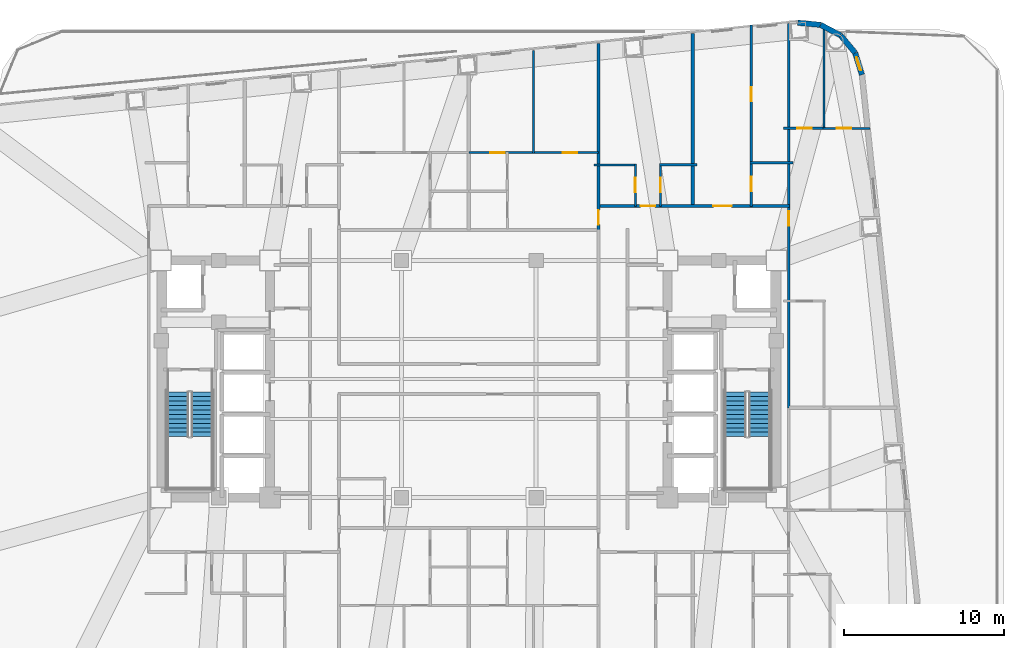
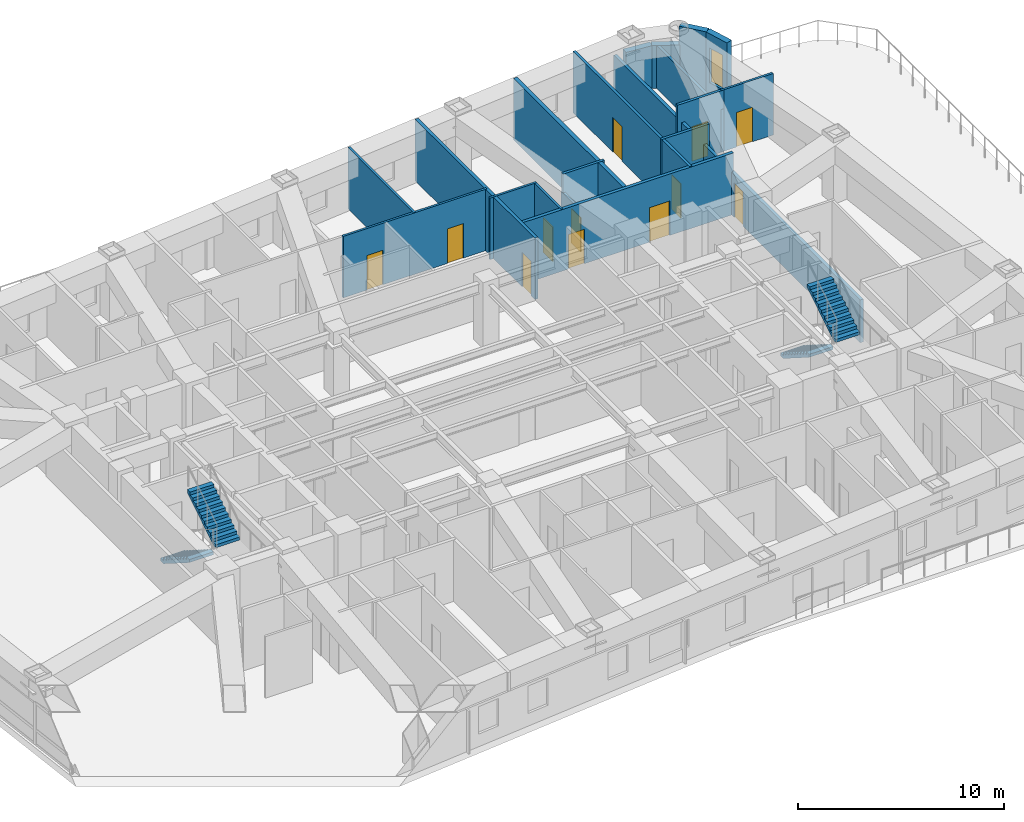
# One storey, part 12 of 15: 20 walls, 12 doors, 4 stair flights, 1 window, 13 openings, 2 elements without a shape of their own.
"""IFC4 building model written with IfcOpenShell, lengths in metres."""

from ifc_helpers import new_model, si_unit, direction, frame, frame_2d, origin, place, context, subcontext, project, spatial, polyline, rectangle, outline, extrude, material, layer, layer_set, type_object, element, fill, aggregate, save


model = new_model("IFC4")

# Units and contexts
model_context = context("Model", 3, precision=1e-05, world=origin(), true_north=direction((0.0, 1.0)))
body_context = subcontext(model_context, "Body", "Model", "MODEL_VIEW")
ifc_project = project(units=[si_unit("LENGTHUNIT", "METRE"), si_unit("AREAUNIT", "SQUARE_METRE"), si_unit("VOLUMEUNIT", "CUBIC_METRE"), si_unit("PLANEANGLEUNIT", "RADIAN"), si_unit("MASSUNIT", "GRAM", prefix="KILO")], contexts=[model_context])

# Site, building, storey
site_placement = place(None, origin())
site = spatial("IfcSite", under=ifc_project, at=site_placement, CompositionType="ELEMENT")
building_placement = place(site_placement, origin())
building = spatial("IfcBuilding", under=site, at=building_placement, Name="Voryun Gate Residences", CompositionType="ELEMENT")
storey_placement = place(building_placement, frame((0.0, 0.0, 140.39990234375)))
storey = spatial("IfcBuildingStorey", under=building, at=storey_placement, Name="L34", CompositionType="ELEMENT", Elevation=140.39990234375)

# Wall, openings, doors
ifc_material_1 = material(Name="Gypsum acoustic fireboard")
ifc_layer_1 = layer(ifc_material_1, 0.179931640625, Name="W_CORR_RATED_180")
ifc_layer_set_1 = layer_set([ifc_layer_1], Name="Gypsum acoustic fireboard")
wall_type_1 = type_object("IfcWallType", Name="W_CORR_RATED_180", PredefinedType="PARTITIONING", material=ifc_layer_set_1)
wall_1_placement = place(storey_placement, frame((8.080078125, 10.800048828125, 0.0), z_axis=(0.0, 0.0, 1.0), x_axis=(1.0, 0.0, 0.0)))
wall_1 = element("IfcWall", 1, at=wall_1_placement, inside=storey, type_object=wall_type_1, Name="Partition wall WP-L34-NCORR-E", PredefinedType="PARTITIONING", context=body_context, shape_type="SweptSolid", body=[
    extrude(rectangle(XDim=11.919921875, YDim=0.179931640625, at=frame_2d((5.9599609375, 0.0))), origin(), (0.0, 0.0, 1.0), 3.650146484375),
])
opening_1_placement = place(wall_1_placement, frame((2.6455078125, 0.0, 0.0)))
opening_1 = element("IfcOpeningElement", 2, at=opening_1_placement, cuts=wall_1, Name="Opening D-INT-2", PredefinedType="OPENING", context=body_context, shape_type="SweptSolid", body=[
    extrude(rectangle(XDim=0.89990234375, YDim=2.050048828125, at=frame_2d((0.449951171875, 1.02490234375))), frame((0.0, 0.099853515625, 0.0), z_axis=(0.0, -1.0, 0.0), x_axis=(1.0, 0.0, 0.0)), (0.0, 0.0, 1.0), 0.199951171875),
])
opening_2_placement = place(wall_1_placement, frame((7.178955078125, 0.0, 0.0)))
opening_2 = element("IfcOpeningElement", 3, at=opening_2_placement, cuts=wall_1, Name="Opening D-UNIT-1", PredefinedType="OPENING", context=body_context, shape_type="SweptSolid", body=[
    extrude(rectangle(XDim=1.14990234375, YDim=2.050048828125, at=frame_2d((0.574951171875, 1.02490234375))), frame((0.0, 0.099853515625, 0.0), z_axis=(0.0, -1.0, 0.0), x_axis=(1.0, 0.0, 0.0)), (0.0, 0.0, 1.0), 0.199951171875),
])
ifc_material_2 = material(Name="Architectural oak veneer")
door_type_1 = type_object("IfcDoorType", Name="DR_INT_BATH_900", OperationType="NOTDEFINED", PredefinedType="DOOR", material=ifc_material_2)
door_1_placement = place(opening_1_placement, origin())
door_1 = element("IfcDoor", 4, at=door_1_placement, inside=storey, type_object=door_type_1, Name="Door DR-L34-NENT-4", OperationType="SINGLE_SWING_RIGHT", OverallHeight=2.050048828125, OverallWidth=0.89990234375, PredefinedType="DOOR", context=body_context, shape_type="SweptSolid", body=[
    extrude(rectangle(XDim=0.89990234375, YDim=2.050048828125, at=frame_2d((0.449951171875, 1.02490234375))), frame((0.0, 0.02490234375, 0.0), z_axis=(0.0, -1.0, 0.0), x_axis=(1.0, 0.0, 0.0)), (0.0, 0.0, 1.0), 0.050048828125),
])
fill(opening_1, door_1)
ifc_material_3 = material(Name="Armoured timber-clad fire door", Category="wood")
door_type_2 = type_object("IfcDoorType", Name="DR_UNIT_ENTRY_1150", OperationType="NOTDEFINED", PredefinedType="DOOR", material=ifc_material_3)
door_2_placement = place(opening_2_placement, origin())
door_2 = element("IfcDoor", 5, at=door_2_placement, inside=storey, type_object=door_type_2, Name="Door DR-L34-NENT-5", OperationType="SINGLE_SWING_LEFT", OverallHeight=2.050048828125, OverallWidth=1.14990234375, PredefinedType="DOOR", context=body_context, shape_type="SweptSolid", body=[
    extrude(rectangle(XDim=1.14990234375, YDim=2.050048828125, at=frame_2d((0.574951171875, 1.02490234375))), frame((0.0, 0.02490234375, 0.0), z_axis=(0.0, -1.0, 0.0), x_axis=(1.0, 0.0, 0.0)), (0.0, 0.0, 1.0), 0.050048828125),
])
fill(opening_2, door_2)

# Wall, opening, door
wall_2_placement = place(storey_placement, frame((8.10009765625, 9.2900390625, 0.0), z_axis=(0.0, 0.0, 1.0), x_axis=(0.0, 1.0, 0.0)))
wall_2 = element("IfcWall", 6, at=wall_2_placement, inside=storey, type_object=wall_type_1, Name="Partition wall WP-L34-NZV-2", PredefinedType="PARTITIONING", context=body_context, shape_type="SweptSolid", body=[
    extrude(rectangle(XDim=11.63916015625, YDim=0.179931640625, at=frame_2d((5.819580078125, 0.0))), origin(), (0.0, 0.0, 1.0), 3.650146484375),
])
opening_3_placement = place(wall_2_placement, frame((0.349609375, 0.0, 0.0)))
opening_3 = element("IfcOpeningElement", 7, at=opening_3_placement, cuts=wall_2, Name="Opening D-INT-2", PredefinedType="OPENING", context=body_context, shape_type="SweptSolid", body=[
    extrude(rectangle(XDim=0.89990234375, YDim=2.050048828125, at=frame_2d((0.449951171875, 1.02490234375))), frame((0.0, 0.099853515625, 0.0), z_axis=(0.0, -1.0, 0.0), x_axis=(1.0, 0.0, 0.0)), (0.0, 0.0, 1.0), 0.199951171875),
])
door_3_placement = place(opening_3_placement, origin())
door_3 = element("IfcDoor", 8, at=door_3_placement, inside=storey, type_object=door_type_1, Name="Door DR-L34-NZENT-2", OperationType="SINGLE_SWING_RIGHT", OverallHeight=2.050048828125, OverallWidth=0.89990234375, PredefinedType="DOOR", context=body_context, shape_type="SweptSolid", body=[
    extrude(rectangle(XDim=0.89990234375, YDim=2.050048828125, at=frame_2d((0.449951171875, 1.02490234375))), frame((0.0, 0.02490234375, 0.0), z_axis=(0.0, -1.0, 0.0), x_axis=(1.0, 0.0, 0.0)), (0.0, 0.0, 1.0), 0.050048828125),
])
fill(opening_3, door_3)

wall_3_placement = place(storey_placement, frame((19.969970703125, -1.800048828125, 0.0), z_axis=(0.0, 0.0, 1.0), x_axis=(0.0, 1.0, 0.0)))
wall_3 = element("IfcWall", 9, at=wall_3_placement, inside=storey, type_object=wall_type_1, Name="Partition wall WP-L34-ECOR2", PredefinedType="PARTITIONING", context=body_context, shape_type="SweptSolid", body=[
    extrude(rectangle(XDim=23.976806640625, YDim=0.179931640625, at=frame_2d((11.98828125, 0.0))), origin(), (0.0, 0.0, 1.0), 2.5400390625),
])
opening_4_placement = place(wall_3_placement, frame((11.380126953125, 0.0, 0.0)))
opening_4 = element("IfcOpeningElement", 10, at=opening_4_placement, cuts=wall_3, Name="Opening D-INT-2", PredefinedType="OPENING", context=body_context, shape_type="SweptSolid", body=[
    extrude(rectangle(XDim=0.89990234375, YDim=2.050048828125, at=frame_2d((0.449951171875, 1.02490234375))), frame((0.0, 0.099853515625, 0.0), z_axis=(0.0, -1.0, 0.0), x_axis=(1.0, 0.0, 0.0)), (0.0, 0.0, 1.0), 0.199951171875),
])
door_4_placement = place(opening_4_placement, origin())
door_4 = element("IfcDoor", 11, at=door_4_placement, inside=storey, type_object=door_type_1, Name="Door DR-L34-EE2", OperationType="SINGLE_SWING_RIGHT", OverallHeight=2.050048828125, OverallWidth=0.89990234375, PredefinedType="DOOR", context=body_context, shape_type="SweptSolid", body=[
    extrude(rectangle(XDim=0.89990234375, YDim=2.050048828125, at=frame_2d((0.449951171875, 1.02490234375))), frame((0.0, 0.02490234375, 0.0), z_axis=(0.0, -1.0, 0.0), x_axis=(1.0, 0.0, 0.0)), (0.0, 0.0, 1.0), 0.050048828125),
])
fill(opening_4, door_4)

# Walls
ifc_material_4 = material(Name="Charcoal terracotta masonry", Category="masonry")
ifc_layer_2 = layer(ifc_material_4, 0.340087890625, Name="W_EXT_TERRACOTTA_340")
ifc_layer_set_2 = layer_set([ifc_layer_2], Name="Charcoal terracotta masonry")
wall_type_2 = type_object("IfcWallType", Name="W_EXT_TERRACOTTA_340", PredefinedType="ELEMENTEDWALL", material=ifc_layer_set_2)
wall_4_placement = place(storey_placement, frame((20.5263671875, 22.235107421875, 0.0), z_axis=(0.0, 0.0, 1.0), x_axis=(0.995800460351, -0.091550222087, 0.0)))
element("IfcWall", 12, at=wall_4_placement, inside=storey, type_object=wall_type_2, Name="Exterior wall WEXT-L34-12", PredefinedType="ELEMENTEDWALL", context=body_context, shape_type="SweptSolid", body=[
    extrude(rectangle(XDim=1.43212890625, YDim=0.340087890625, at=frame_2d((0.716064453125, 0.0))), origin(), (0.0, 0.0, 1.0), 2.5400390625),
])
wall_5_placement = place(storey_placement, frame((21.952392578125, 22.10400390625, 0.0), z_axis=(0.0, 0.0, 1.0), x_axis=(0.885023004245, -0.465547292933, 0.0)))
element("IfcWall", 13, at=wall_5_placement, inside=storey, type_object=wall_type_2, Name="Exterior wall WEXT-L34-13", PredefinedType="ELEMENTEDWALL", context=body_context, shape_type="SweptSolid", body=[
    extrude(rectangle(XDim=1.414794921875, YDim=0.340087890625, at=frame_2d((0.70751953125, 0.0))), origin(), (0.0, 0.0, 1.0), 2.5400390625),
])
wall_6_placement = place(storey_placement, frame((23.20458984375, 21.4453125, 0.0), z_axis=(0.0, 0.0, 1.0), x_axis=(0.639539337522, -0.768758372808, 0.0)))
element("IfcWall", 14, at=wall_6_placement, inside=storey, type_object=wall_type_2, Name="Exterior wall WEXT-L34-14", PredefinedType="ELEMENTEDWALL", context=body_context, shape_type="SweptSolid", body=[
    extrude(rectangle(XDim=1.4150390625, YDim=0.340087890625, at=frame_2d((0.70751953125, 0.0))), origin(), (0.0, 0.0, 1.0), 3.650146484375),
])

# Wall, opening, window
wall_7_placement = place(storey_placement, frame((24.109619140625, 20.357421875, 0.0), z_axis=(0.0, 0.0, 1.0), x_axis=(0.296420660287, -0.955057481074, 0.0)))
wall_7 = element("IfcWall", 15, at=wall_7_placement, inside=storey, type_object=wall_type_2, Name="Exterior wall WEXT-L34-15", PredefinedType="ELEMENTEDWALL", context=body_context, shape_type="SweptSolid", body=[
    extrude(rectangle(XDim=1.432373046875, YDim=0.340087890625, at=frame_2d((0.71630859375, 0.0))), origin(), (0.0, 0.0, 1.0), 3.650146484375),
])
opening_5_placement = place(wall_7_placement, frame((0.291015625, 0.0, 0.75)))
opening_5 = element("IfcOpeningElement", 16, at=opening_5_placement, cuts=wall_7, Name="Opening WN9", PredefinedType="OPENING", context=body_context, shape_type="SweptSolid", body=[
    extrude(rectangle(XDim=0.85009765625, YDim=2.050048828125, at=frame_2d((0.425048828125, 1.02490234375))), frame((0.0, 0.179931640625, 0.0), z_axis=(0.0, -1.0, 0.0), x_axis=(1.0, 0.0, 0.0)), (0.0, 0.0, 1.0), 0.360107421875),
])
ifc_material_5 = material(Name="Laminated low-E glass", Category="glass")
window_type = type_object("IfcWindowType", Name="WN_RES_CASEMENT_850", PartitioningType="SINGLE_PANEL", PredefinedType="WINDOW", material=ifc_material_5)
window_placement = place(opening_5_placement, origin())
window = element("IfcWindow", 17, at=window_placement, inside=storey, type_object=window_type, Name="Window WN-L34-DWFIX-19", OverallHeight=2.050048828125, OverallWidth=0.85009765625, PartitioningType="SINGLE_PANEL", PredefinedType="WINDOW", context=body_context, shape_type="SweptSolid", body=[
    extrude(rectangle(XDim=0.85009765625, YDim=2.050048828125, at=frame_2d((0.425048828125, 1.02490234375))), frame((0.0, 0.030029296875, 0.0), z_axis=(0.0, -1.0, 0.0), x_axis=(1.0, 0.0, 0.0)), (0.0, 0.0, 1.0), 0.06005859375),
])
fill(opening_5, window)

# Wall
ifc_material_6 = material(Name="Concrete C40/50", Category="concrete")
ifc_layer_3 = layer(ifc_material_6, 0.219970703125, Name="W_PARTY_ACOUSTIC_220")
ifc_layer_set_3 = layer_set([ifc_layer_3], Name="Concrete C40/50")
wall_type_3 = type_object("IfcWallType", Name="W_PARTY_ACOUSTIC_220", PredefinedType="PARTITIONING", material=ifc_layer_set_3)
wall_8_placement = place(storey_placement, frame((13.989990234375, 10.719970703125, 0.0), z_axis=(0.0, 0.0, 1.0), x_axis=(0.0, 1.0, 0.0)))
element("IfcWall", 18, at=wall_8_placement, inside=storey, type_object=wall_type_3, Name="Partition wall WP-L34-NPTY-4", PredefinedType="PARTITIONING", context=body_context, shape_type="SweptSolid", body=[
    extrude(rectangle(XDim=10.828125, YDim=0.219970703125, at=frame_2d((5.4140625, 0.0))), origin(), (0.0, 0.0, 1.0), 3.650146484375),
])

# Wall, opening, door
ifc_material_7 = material(Name="Gypsum acoustic partition")
ifc_layer_4 = layer(ifc_material_7, 0.125, Name="W_UNIT_PART_125")
ifc_layer_set_4 = layer_set([ifc_layer_4], Name="Gypsum acoustic partition")
wall_type_4 = type_object("IfcWallType", Name="W_UNIT_PART_125", PredefinedType="PARTITIONING", material=ifc_layer_set_4)
wall_9_placement = place(storey_placement, frame((10.389892578125, 10.780029296875, 0.0), z_axis=(0.0, 0.0, 1.0), x_axis=(0.0, 1.0, 0.0)))
wall_9 = element("IfcWall", 19, at=wall_9_placement, inside=storey, type_object=wall_type_4, Name="Partition wall WP-L34-N4-CVK", PredefinedType="PARTITIONING", context=body_context, shape_type="SweptSolid", body=[
    extrude(rectangle(XDim=2.64990234375, YDim=0.125, at=frame_2d((1.324951171875, 0.0))), origin(), (0.0, 0.0, 1.0), 3.650146484375),
])
opening_6_placement = place(wall_9_placement, frame((0.875, 0.0, 0.0)))
opening_6 = element("IfcOpeningElement", 20, at=opening_6_placement, cuts=wall_9, Name="Opening D-INT-2", PredefinedType="OPENING", context=body_context, shape_type="SweptSolid", body=[
    extrude(rectangle(XDim=0.89990234375, YDim=2.050048828125, at=frame_2d((0.449951171875, 1.02490234375))), frame((0.0, 0.072509765625, 0.0), z_axis=(0.0, -1.0, 0.0), x_axis=(1.0, 0.0, 0.0)), (0.0, 0.0, 1.0), 0.14501953125),
])
door_5_placement = place(opening_6_placement, origin())
door_5 = element("IfcDoor", 21, at=door_5_placement, inside=storey, type_object=door_type_1, Name="Door DR-L34-N4-DK", OperationType="SINGLE_SWING_LEFT", OverallHeight=2.050048828125, OverallWidth=0.89990234375, PredefinedType="DOOR", context=body_context, shape_type="SweptSolid", body=[
    extrude(rectangle(XDim=0.89990234375, YDim=2.050048828125, at=frame_2d((0.449951171875, 1.02490234375))), frame((0.0, 0.02490234375, 0.0), z_axis=(0.0, -1.0, 0.0), x_axis=(1.0, 0.0, 0.0)), (0.0, 0.0, 1.0), 0.050048828125),
])
fill(opening_6, door_5)

# Wall
wall_10_placement = place(storey_placement, frame((7.820068359375, 13.3701171875, 0.0), z_axis=(0.0, 0.0, 1.0), x_axis=(1.0, 0.0, 0.0)))
element("IfcWall", 22, at=wall_10_placement, inside=storey, type_object=wall_type_4, Name="Partition wall WP-L34-N4-CHK", PredefinedType="PARTITIONING", context=body_context, shape_type="SweptSolid", body=[
    extrude(rectangle(XDim=2.6298828125, YDim=0.125, at=frame_2d((1.31494140625, 0.0))), origin(), (0.0, 0.0, 1.0), 3.650146484375),
])

# Wall, openings, doors
wall_11_placement = place(storey_placement, frame((0.02001953125, 14.1298828125, 0.0), z_axis=(0.0, 0.0, 1.0), x_axis=(1.0, 0.0, 0.0)))
wall_11 = element("IfcWall", 23, at=wall_11_placement, inside=storey, type_object=wall_type_4, Name="Partition wall WP-L34-NC2-HZ", PredefinedType="PARTITIONING", context=body_context, shape_type="SweptSolid", body=[
    extrude(rectangle(XDim=8.06005859375, YDim=0.125, at=frame_2d((4.030029296875, 0.0))), origin(), (0.0, 0.0, 1.0), 3.650146484375),
])
opening_7_placement = place(wall_11_placement, frame((1.3232421875, 0.0, 0.0)))
opening_7 = element("IfcOpeningElement", 24, at=opening_7_placement, cuts=wall_11, Name="Opening D-INT-2", PredefinedType="OPENING", context=body_context, shape_type="SweptSolid", body=[
    extrude(rectangle(XDim=0.89990234375, YDim=2.050048828125, at=frame_2d((0.449951171875, 1.02490234375))), frame((0.0, 0.072509765625, 0.0), z_axis=(0.0, -1.0, 0.0), x_axis=(1.0, 0.0, 0.0)), (0.0, 0.0, 1.0), 0.14501953125),
])
opening_8_placement = place(wall_11_placement, frame((5.8369140625, 0.0, 0.0)))
opening_8 = element("IfcOpeningElement", 25, at=opening_8_placement, cuts=wall_11, Name="Opening D-INT-2", PredefinedType="OPENING", context=body_context, shape_type="SweptSolid", body=[
    extrude(rectangle(XDim=0.89990234375, YDim=2.050048828125, at=frame_2d((0.449951171875, 1.02490234375))), frame((0.0, 0.072509765625, 0.0), z_axis=(0.0, -1.0, 0.0), x_axis=(1.0, 0.0, 0.0)), (0.0, 0.0, 1.0), 0.14501953125),
])
door_6_placement = place(opening_7_placement, origin())
door_6 = element("IfcDoor", 26, at=door_6_placement, inside=storey, type_object=door_type_1, Name="Door DR-L34-NC2-DMB", OperationType="SINGLE_SWING_LEFT", OverallHeight=2.050048828125, OverallWidth=0.89990234375, PredefinedType="DOOR", context=body_context, shape_type="SweptSolid", body=[
    extrude(rectangle(XDim=0.89990234375, YDim=2.050048828125, at=frame_2d((0.449951171875, 1.02490234375))), frame((0.0, 0.02490234375, 0.0), z_axis=(0.0, -1.0, 0.0), x_axis=(1.0, 0.0, 0.0)), (0.0, 0.0, 1.0), 0.050048828125),
])
fill(opening_7, door_6)
door_7_placement = place(opening_8_placement, origin())
door_7 = element("IfcDoor", 27, at=door_7_placement, inside=storey, type_object=door_type_1, Name="Door DR-L34-NC2-DBD2", OperationType="SINGLE_SWING_RIGHT", OverallHeight=2.050048828125, OverallWidth=0.89990234375, PredefinedType="DOOR", context=body_context, shape_type="SweptSolid", body=[
    extrude(rectangle(XDim=0.89990234375, YDim=2.050048828125, at=frame_2d((0.449951171875, 1.02490234375))), frame((0.0, 0.02490234375, 0.0), z_axis=(0.0, -1.0, 0.0), x_axis=(1.0, 0.0, 0.0)), (0.0, 0.0, 1.0), 0.050048828125),
])
fill(opening_8, door_7)

# Wall
wall_12_placement = place(storey_placement, frame((4.050048828125, 14.090087890625, 0.0), z_axis=(0.0, 0.0, 1.0), x_axis=(0.0, 1.0, 0.0)))
element("IfcWall", 28, at=wall_12_placement, inside=storey, type_object=wall_type_4, Name="Partition wall WP-L34-NC2-VBD", PredefinedType="PARTITIONING", context=body_context, shape_type="SweptSolid", body=[
    extrude(rectangle(XDim=6.413330078125, YDim=0.125, at=frame_2d((3.20654296875, 0.0))), origin(), (0.0, 0.0, 1.0), 3.650146484375),
])

# Wall, opening, door
wall_13_placement = place(storey_placement, frame((22.110107421875, 15.64208984375, 0.0), z_axis=(0.0, 0.0, 1.0), x_axis=(1.0, 0.0, 0.0)))
wall_13 = element("IfcWall", 29, at=wall_13_placement, inside=storey, type_object=wall_type_4, Name="Partition wall WP-L34-E2-OHZ", PredefinedType="PARTITIONING", context=body_context, shape_type="SweptSolid", body=[
    extrude(rectangle(XDim=2.9267578125, YDim=0.125, at=frame_2d((1.46337890625, 0.0))), origin(), (0.0, 0.0, 1.0), 3.650146484375),
])
opening_9_placement = place(wall_13_placement, frame((0.8671875, 0.0, 0.0)))
opening_9 = element("IfcOpeningElement", 30, at=opening_9_placement, cuts=wall_13, Name="Opening D-INT-2", PredefinedType="OPENING", context=body_context, shape_type="SweptSolid", body=[
    extrude(rectangle(XDim=0.89990234375, YDim=2.050048828125, at=frame_2d((0.449951171875, 1.02490234375))), frame((0.0, 0.072509765625, 0.0), z_axis=(0.0, -1.0, 0.0), x_axis=(1.0, 0.0, 0.0)), (0.0, 0.0, 1.0), 0.14501953125),
])
door_8_placement = place(opening_9_placement, origin())
door_8 = element("IfcDoor", 31, at=door_8_placement, inside=storey, type_object=door_type_1, Name="Door DR-L34-E2-DMB", OperationType="SINGLE_SWING_LEFT", OverallHeight=2.050048828125, OverallWidth=0.89990234375, PredefinedType="DOOR", context=body_context, shape_type="SweptSolid", body=[
    extrude(rectangle(XDim=0.89990234375, YDim=2.050048828125, at=frame_2d((0.449951171875, 1.02490234375))), frame((0.0, 0.02490234375, 0.0), z_axis=(0.0, -1.0, 0.0), x_axis=(1.0, 0.0, 0.0)), (0.0, 0.0, 1.0), 0.050048828125),
])
fill(opening_9, door_8)

ifc_material_8 = material(Name="Gypsum moisture-resistant partition")
ifc_layer_5 = layer(ifc_material_8, 0.14990234375, Name="W_WET_PLUMB_150")
ifc_layer_set_5 = layer_set([ifc_layer_5], Name="Gypsum moisture-resistant partition")
wall_type_5 = type_object("IfcWallType", Name="W_WET_PLUMB_150", PredefinedType="PLUMBINGWALL", material=ifc_layer_set_5)
wall_14_placement = place(storey_placement, frame((11.9609375, 10.780029296875, 0.0), z_axis=(0.0, 0.0, 1.0), x_axis=(0.0, 1.0, 0.0)))
wall_14 = element("IfcWall", 32, at=wall_14_placement, inside=storey, type_object=wall_type_5, Name="Partition wall WP-L34-N4-CVB", PredefinedType="PLUMBINGWALL", context=body_context, shape_type="SweptSolid", body=[
    extrude(rectangle(XDim=2.64990234375, YDim=0.14990234375, at=frame_2d((1.324951171875, 0.0))), origin(), (0.0, 0.0, 1.0), 2.5400390625),
])
opening_10_placement = place(wall_14_placement, frame((0.875, 0.0, 0.0)))
opening_10 = element("IfcOpeningElement", 33, at=opening_10_placement, cuts=wall_14, Name="Opening D-INT-2", PredefinedType="OPENING", context=body_context, shape_type="SweptSolid", body=[
    extrude(rectangle(XDim=0.89990234375, YDim=2.050048828125, at=frame_2d((0.449951171875, 1.02490234375))), frame((0.0, 0.0849609375, 0.0), z_axis=(0.0, -1.0, 0.0), x_axis=(1.0, 0.0, 0.0)), (0.0, 0.0, 1.0), 0.169921875),
])
door_9_placement = place(opening_10_placement, origin())
door_9 = element("IfcDoor", 34, at=door_9_placement, inside=storey, type_object=door_type_1, Name="Door DR-L34-N4-DB", OperationType="SINGLE_SWING_RIGHT", OverallHeight=2.050048828125, OverallWidth=0.89990234375, PredefinedType="DOOR", context=body_context, shape_type="SweptSolid", body=[
    extrude(rectangle(XDim=0.89990234375, YDim=2.050048828125, at=frame_2d((0.449951171875, 1.02490234375))), frame((0.0, 0.02490234375, 0.0), z_axis=(0.0, -1.0, 0.0), x_axis=(1.0, 0.0, 0.0)), (0.0, 0.0, 1.0), 0.050048828125),
])
fill(opening_10, door_9)

# Walls
wall_15_placement = place(storey_placement, frame((11.90087890625, 13.3701171875, 0.0), z_axis=(0.0, 0.0, 1.0), x_axis=(1.0, 0.0, 0.0)))
element("IfcWall", 35, at=wall_15_placement, inside=storey, type_object=wall_type_5, Name="Partition wall WP-L34-N4-CHB", PredefinedType="PLUMBINGWALL", context=body_context, shape_type="SweptSolid", body=[
    extrude(rectangle(XDim=2.34912109375, YDim=0.14990234375, at=frame_2d((1.174560546875, 0.0))), origin(), (0.0, 0.0, 1.0), 3.650146484375),
])
wall_16_placement = place(storey_placement, frame((17.5390625, 13.5, 0.0), z_axis=(0.0, 0.0, 1.0), x_axis=(1.0, 0.0, 0.0)))
element("IfcWall", 36, at=wall_16_placement, inside=storey, type_object=wall_type_5, Name="Partition wall WP-L34-N5-SKB", PredefinedType="PLUMBINGWALL", context=body_context, shape_type="SweptSolid", body=[
    extrude(rectangle(XDim=2.680908203125, YDim=0.14990234375, at=frame_2d((1.34033203125, 0.0))), origin(), (0.0, 0.0, 1.0), 3.650146484375),
])

# Wall, opening, door
wall_17_placement = place(storey_placement, frame((17.618896484375, 10.780029296875, 0.0), z_axis=(0.0, 0.0, 1.0), x_axis=(0.0, 1.0, 0.0)))
wall_17 = element("IfcWall", 37, at=wall_17_placement, inside=storey, type_object=wall_type_5, Name="Partition wall WP-L34-N5-SVT1", PredefinedType="PLUMBINGWALL", context=body_context, shape_type="SweptSolid", body=[
    extrude(rectangle(XDim=2.760009765625, YDim=0.14990234375, at=frame_2d((1.3798828125, 0.0))), origin(), (0.0, 0.0, 1.0), 3.650146484375),
])
opening_11_placement = place(wall_17_placement, frame((0.929931640625, 0.0, 0.0)))
opening_11 = element("IfcOpeningElement", 38, at=opening_11_placement, cuts=wall_17, Name="Opening D-INT-2", PredefinedType="OPENING", context=body_context, shape_type="SweptSolid", body=[
    extrude(rectangle(XDim=0.89990234375, YDim=2.050048828125, at=frame_2d((0.449951171875, 1.02490234375))), frame((0.0, 0.0849609375, 0.0), z_axis=(0.0, -1.0, 0.0), x_axis=(1.0, 0.0, 0.0)), (0.0, 0.0, 1.0), 0.169921875),
])
door_10_placement = place(opening_11_placement, origin())
door_10 = element("IfcDoor", 39, at=door_10_placement, inside=storey, type_object=door_type_1, Name="Door DR-L34-N5-DB", OperationType="SINGLE_SWING_LEFT", OverallHeight=2.050048828125, OverallWidth=0.89990234375, PredefinedType="DOOR", context=body_context, shape_type="SweptSolid", body=[
    extrude(rectangle(XDim=0.89990234375, YDim=2.050048828125, at=frame_2d((0.449951171875, 1.02490234375))), frame((0.0, 0.02490234375, 0.0), z_axis=(0.0, -1.0, 0.0), x_axis=(1.0, 0.0, 0.0)), (0.0, 0.0, 1.0), 0.050048828125),
])
fill(opening_11, door_10)

wall_18_placement = place(storey_placement, frame((17.618896484375, 13.4599609375, 0.0), z_axis=(0.0, 0.0, 1.0), x_axis=(0.0, 1.0, 0.0)))
wall_18 = element("IfcWall", 40, at=wall_18_placement, inside=storey, type_object=wall_type_5, Name="Partition wall WP-L34-N5-SVT2", PredefinedType="PLUMBINGWALL", context=body_context, shape_type="SweptSolid", body=[
    extrude(rectangle(XDim=8.620361328125, YDim=0.14990234375, at=frame_2d((4.31005859375, 0.0))), origin(), (0.0, 0.0, 1.0), 3.650146484375),
])
opening_12_placement = place(wall_18_placement, frame((3.860107421875, 0.0, 0.0)))
opening_12 = element("IfcOpeningElement", 41, at=opening_12_placement, cuts=wall_18, Name="Opening D-INT-2", PredefinedType="OPENING", context=body_context, shape_type="SweptSolid", body=[
    extrude(rectangle(XDim=0.89990234375, YDim=2.050048828125, at=frame_2d((0.449951171875, 1.02490234375))), frame((0.0, 0.0849609375, 0.0), z_axis=(0.0, -1.0, 0.0), x_axis=(1.0, 0.0, 0.0)), (0.0, 0.0, 1.0), 0.169921875),
])
door_11_placement = place(opening_12_placement, origin())
door_11 = element("IfcDoor", 42, at=door_11_placement, inside=storey, type_object=door_type_1, Name="Door DR-L34-N5-DK", OperationType="SINGLE_SWING_RIGHT", OverallHeight=2.050048828125, OverallWidth=0.89990234375, PredefinedType="DOOR", context=body_context, shape_type="SweptSolid", body=[
    extrude(rectangle(XDim=0.89990234375, YDim=2.050048828125, at=frame_2d((0.449951171875, 1.02490234375))), frame((0.0, 0.02490234375, 0.0), z_axis=(0.0, -1.0, 0.0), x_axis=(1.0, 0.0, 0.0)), (0.0, 0.0, 1.0), 0.050048828125),
])
fill(opening_12, door_11)

wall_19_placement = place(storey_placement, frame((19.64990234375, 15.64208984375, 0.0), z_axis=(0.0, 0.0, 1.0), x_axis=(1.0, 0.0, 0.0)))
wall_19 = element("IfcWall", 43, at=wall_19_placement, inside=storey, type_object=wall_type_5, Name="Partition wall WP-L34-E2-IBB", PredefinedType="PLUMBINGWALL", context=body_context, shape_type="SweptSolid", body=[
    extrude(rectangle(XDim=2.60009765625, YDim=0.14990234375, at=frame_2d((1.300048828125, 0.0))), origin(), (0.0, 0.0, 1.0), 3.650146484375),
])
opening_13_placement = place(wall_19_placement, frame((0.85009765625, 0.0, 0.0)))
opening_13 = element("IfcOpeningElement", 44, at=opening_13_placement, cuts=wall_19, Name="Opening D-INT-2", PredefinedType="OPENING", context=body_context, shape_type="SweptSolid", body=[
    extrude(rectangle(XDim=0.89990234375, YDim=2.050048828125, at=frame_2d((0.449951171875, 1.02490234375))), frame((0.0, 0.0849609375, 0.0), z_axis=(0.0, -1.0, 0.0), x_axis=(1.0, 0.0, 0.0)), (0.0, 0.0, 1.0), 0.169921875),
])
door_12_placement = place(opening_13_placement, origin())
door_12 = element("IfcDoor", 45, at=door_12_placement, inside=storey, type_object=door_type_1, Name="Door DR-L34-E2-DB", OperationType="SINGLE_SWING_RIGHT", OverallHeight=2.050048828125, OverallWidth=0.89990234375, PredefinedType="DOOR", context=body_context, shape_type="SweptSolid", body=[
    extrude(rectangle(XDim=0.89990234375, YDim=2.050048828125, at=frame_2d((0.449951171875, 1.02490234375))), frame((0.0, 0.02490234375, 0.0), z_axis=(0.0, -1.0, 0.0), x_axis=(1.0, 0.0, 0.0)), (0.0, 0.0, 1.0), 0.050048828125),
])
fill(opening_13, door_12)

# Wall
wall_20_placement = place(storey_placement, frame((22.169921875, 15.56201171875, 0.0), z_axis=(0.0, 0.0, 1.0), x_axis=(0.0, 1.0, 0.0)))
element("IfcWall", 46, at=wall_20_placement, inside=storey, type_object=wall_type_5, Name="Partition wall WP-L34-E2-VTB", PredefinedType="PLUMBINGWALL", context=body_context, shape_type="SweptSolid", body=[
    extrude(rectangle(XDim=6.59716796875, YDim=0.14990234375, at=frame_2d((3.298583984375, 0.0))), origin(), (0.0, 0.0, 1.0), 2.5400390625),
])

# Stair, stair flights
ifc_material_9 = material(Name="Concrete C40/50", Category="concrete")
stair_type = type_object("IfcStairType", Name="STR_CORE_DOGLEG_1350", PredefinedType="HALF_TURN_STAIR", material=ifc_material_9)
stair_1_placement = place(storey_placement, origin())
stair_1 = element("IfcStair", 47, at=stair_1_placement, inside=storey, type_object=stair_type, Name="L34 Special Escape Stair ST-W1", PredefinedType="HALF_TURN_STAIR")
ifc_material_10 = material(Name="Concrete C40/50", Category="concrete")
stair_flight_type = type_object("IfcStairFlightType", Name="FLT_CORE_1350", PredefinedType="STRAIGHT", material=ifc_material_10)
stair_flight_1_placement = place(storey_placement, frame((-18.14990234375, -0.800048828125, 0.0), z_axis=(0.0, 0.0, 1.0), x_axis=(0.0, -1.0, 0.0)))
stair_flight_1 = element("IfcStairFlight", 48, at=stair_flight_1_placement, type_object=stair_flight_type, Name="ST-W1 flight 1", NumberOfRisers=11, NumberOfTreads=10, PredefinedType="STRAIGHT", RiserHeight=0.177272727, TreadLength=0.28, context=body_context, shape_type="SweptSolid", body=[
    extrude(outline(polyline([(0.0, 0.0), (0.0, 0.17724609375), (0.280029296875, 0.17724609375), (0.280029296875, 0.3544921875), (0.56005859375, 0.3544921875), (0.56005859375, 0.53173828125), (0.840087890625, 0.53173828125), (0.840087890625, 0.708984375), (1.1201171875, 0.708984375), (1.1201171875, 0.886474609375), (1.39990234375, 0.886474609375), (1.39990234375, 1.063720703125), (1.679931640625, 1.063720703125), (1.679931640625, 1.240966796875), (1.9599609375, 1.240966796875), (1.9599609375, 1.418212890625), (2.239990234375, 1.418212890625), (2.239990234375, 1.595458984375), (2.52001953125, 1.595458984375), (2.52001953125, 1.772705078125), (2.800048828125, 1.772705078125), (2.800048828125, 1.949951171875), (2.800048828125, 1.59521484375), (0.2802734375, 0.0), (0.0, 0.0)])), frame((0.0, 0.675048828125, 0.0), z_axis=(0.0, -1.0, 0.0), x_axis=(1.0, 0.0, 0.0)), (0.0, 0.0, 1.0), 1.35009765625),
])
stair_flight_2_placement = place(storey_placement, frame((-16.64990234375, -3.60009765625, 1.9501953125), z_axis=(0.0, 0.0, 1.0), x_axis=(0.0, 1.0, 0.0)))
stair_flight_2 = element("IfcStairFlight", 49, at=stair_flight_2_placement, type_object=stair_flight_type, Name="ST-W1 flight 2", NumberOfRisers=11, NumberOfTreads=10, PredefinedType="STRAIGHT", RiserHeight=0.177272727, TreadLength=0.28, context=body_context, shape_type="SweptSolid", body=[
    extrude(outline(polyline([(0.0, 0.0), (0.0, 0.17724609375), (0.280029296875, 0.17724609375), (0.280029296875, 0.3544921875), (0.56005859375, 0.3544921875), (0.56005859375, 0.53173828125), (0.840087890625, 0.53173828125), (0.840087890625, 0.708984375), (1.1201171875, 0.708984375), (1.1201171875, 0.886474609375), (1.39990234375, 0.886474609375), (1.39990234375, 1.063720703125), (1.679931640625, 1.063720703125), (1.679931640625, 1.240966796875), (1.9599609375, 1.240966796875), (1.9599609375, 1.418212890625), (2.239990234375, 1.418212890625), (2.239990234375, 1.595458984375), (2.52001953125, 1.595458984375), (2.52001953125, 1.772705078125), (2.800048828125, 1.772705078125), (2.800048828125, 1.949951171875), (2.800048828125, 1.59521484375), (0.2802734375, 0.0), (0.0, 0.0)])), frame((0.0, 0.675048828125, 0.0), z_axis=(0.0, -1.0, 0.0), x_axis=(1.0, 0.0, 0.0)), (0.0, 0.0, 1.0), 1.35009765625),
])
aggregate(stair_1, [stair_flight_1, stair_flight_2])

stair_2_placement = place(storey_placement, origin())
stair_2 = element("IfcStair", 50, at=stair_2_placement, inside=storey, type_object=stair_type, Name="L34 Special Escape Stair ST-E1", PredefinedType="HALF_TURN_STAIR")
stair_flight_3_placement = place(storey_placement, frame((16.64990234375, -0.800048828125, 0.0), z_axis=(0.0, 0.0, 1.0), x_axis=(0.0, -1.0, 0.0)))
stair_flight_3 = element("IfcStairFlight", 51, at=stair_flight_3_placement, type_object=stair_flight_type, Name="ST-E1 flight 1", NumberOfRisers=11, NumberOfTreads=10, PredefinedType="STRAIGHT", RiserHeight=0.177272727, TreadLength=0.28, context=body_context, shape_type="SweptSolid", body=[
    extrude(outline(polyline([(0.0, 0.0), (0.0, 0.17724609375), (0.280029296875, 0.17724609375), (0.280029296875, 0.3544921875), (0.56005859375, 0.3544921875), (0.56005859375, 0.53173828125), (0.840087890625, 0.53173828125), (0.840087890625, 0.708984375), (1.1201171875, 0.708984375), (1.1201171875, 0.886474609375), (1.39990234375, 0.886474609375), (1.39990234375, 1.063720703125), (1.679931640625, 1.063720703125), (1.679931640625, 1.240966796875), (1.9599609375, 1.240966796875), (1.9599609375, 1.418212890625), (2.239990234375, 1.418212890625), (2.239990234375, 1.595458984375), (2.52001953125, 1.595458984375), (2.52001953125, 1.772705078125), (2.800048828125, 1.772705078125), (2.800048828125, 1.949951171875), (2.800048828125, 1.59521484375), (0.2802734375, 0.0), (0.0, 0.0)])), frame((0.0, 0.675048828125, 0.0), z_axis=(0.0, -1.0, 0.0), x_axis=(1.0, 0.0, 0.0)), (0.0, 0.0, 1.0), 1.35009765625),
])
stair_flight_4_placement = place(storey_placement, frame((18.14990234375, -3.60009765625, 1.9501953125), z_axis=(0.0, 0.0, 1.0), x_axis=(0.0, 1.0, 0.0)))
stair_flight_4 = element("IfcStairFlight", 52, at=stair_flight_4_placement, type_object=stair_flight_type, Name="ST-E1 flight 2", NumberOfRisers=11, NumberOfTreads=10, PredefinedType="STRAIGHT", RiserHeight=0.177272727, TreadLength=0.28, context=body_context, shape_type="SweptSolid", body=[
    extrude(outline(polyline([(0.0, 0.0), (0.0, 0.17724609375), (0.280029296875, 0.17724609375), (0.280029296875, 0.3544921875), (0.56005859375, 0.3544921875), (0.56005859375, 0.53173828125), (0.840087890625, 0.53173828125), (0.840087890625, 0.708984375), (1.1201171875, 0.708984375), (1.1201171875, 0.886474609375), (1.39990234375, 0.886474609375), (1.39990234375, 1.063720703125), (1.679931640625, 1.063720703125), (1.679931640625, 1.240966796875), (1.9599609375, 1.240966796875), (1.9599609375, 1.418212890625), (2.239990234375, 1.418212890625), (2.239990234375, 1.595458984375), (2.52001953125, 1.595458984375), (2.52001953125, 1.772705078125), (2.800048828125, 1.772705078125), (2.800048828125, 1.949951171875), (2.800048828125, 1.59521484375), (0.2802734375, 0.0), (0.0, 0.0)])), frame((0.0, 0.675048828125, 0.0), z_axis=(0.0, -1.0, 0.0), x_axis=(1.0, 0.0, 0.0)), (0.0, 0.0, 1.0), 1.35009765625),
])
aggregate(stair_2, [stair_flight_3, stair_flight_4])

save(model, "model.ifc")
